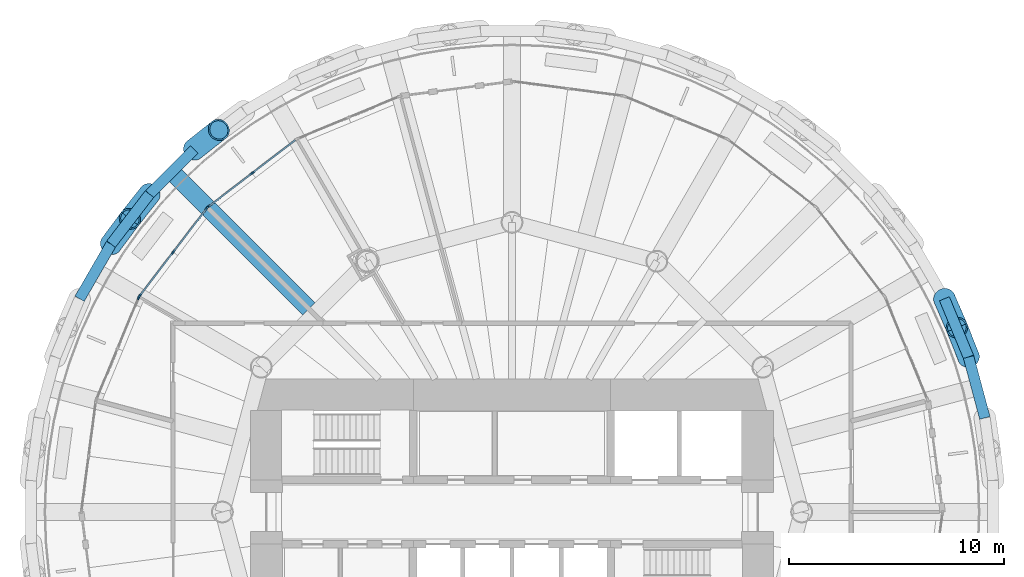
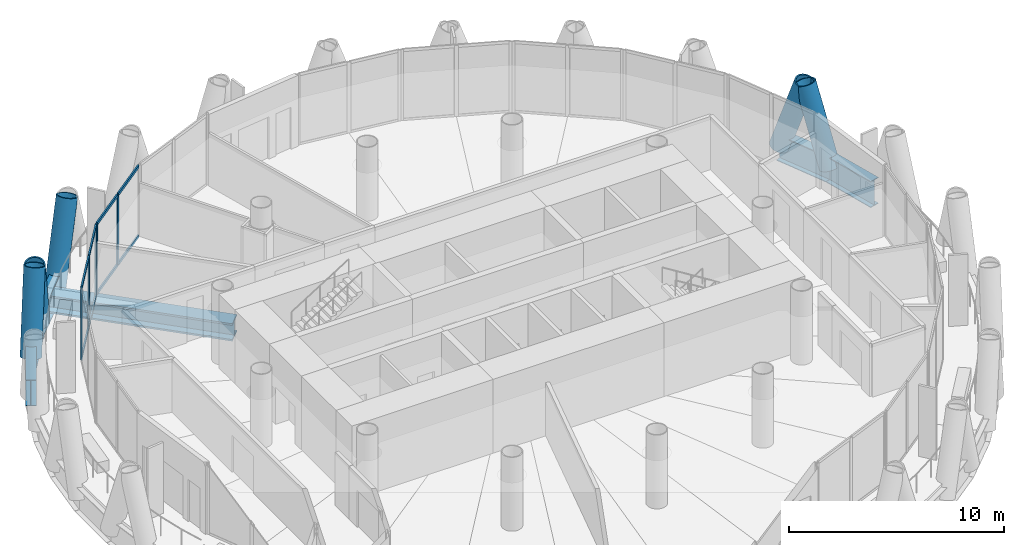
# One storey, part 5 of 15: 19 members, 6 beams, 3 elements without a shape of their own.
"""IFC4 building model written with IfcOpenShell, lengths in metres."""

from ifc_helpers import new_model, si_unit, direction, frame, origin, origin_2d, place, context, subcontext, project, spatial, rectangle, hollow_circle, i_section, extrude, material, material_profile, profile_set, type_object, element, aggregate, save


model = new_model("IFC4")

# Units and contexts
model_context = context("Model", 3, precision=1e-05, world=origin(), true_north=direction((0.0, 1.0)))
body_context = subcontext(model_context, "Body", "Model", "MODEL_VIEW")
ifc_project = project(units=[si_unit("LENGTHUNIT", "METRE"), si_unit("AREAUNIT", "SQUARE_METRE"), si_unit("VOLUMEUNIT", "CUBIC_METRE"), si_unit("PLANEANGLEUNIT", "RADIAN"), si_unit("MASSUNIT", "GRAM", prefix="KILO")], contexts=[model_context])

# Site, building, storey
site_placement = place(None, origin())
site = spatial("IfcSite", under=ifc_project, at=site_placement, CompositionType="ELEMENT")
building_placement = place(site_placement, origin())
building = spatial("IfcBuilding", under=site, at=building_placement, Name="Qaws Media Tower", CompositionType="ELEMENT")
storey_placement = place(building_placement, frame((0.0, 0.0, 231.800048828125)))
storey = spatial("IfcBuildingStorey", under=building, at=storey_placement, Name="L53", CompositionType="ELEMENT", Elevation=231.800048828125)

# Curtain wall, members
ifc_material_1 = material(Name="Aluminium and clear glass", Category="aluminium")
curtain_wall_type = type_object("IfcCurtainWallType", Name="Unitised curtain wall CW-C", PredefinedType="NOTDEFINED", material=ifc_material_1)
curtain_wall_1_placement = place(storey_placement, origin())
curtain_wall_1 = element("IfcCurtainWall", 1, at=curtain_wall_1_placement, inside=storey, type_object=curtain_wall_type, Name="CWC curtain wall L53-09", PredefinedType="NOTDEFINED")
ifc_material_2 = material(Name="Aluminium mullion", Category="aluminium")
ifc_material_profile_1 = material_profile(ifc_material_2, rectangle(XDim=0.080078125, YDim=0.199951171875, at=origin_2d()), Name="80x200")
ifc_profile_set_1 = profile_set([ifc_material_profile_1], Name="Aluminium mullion")
member_type_1 = type_object("IfcMemberType", Name="Curtain wall mullion 80x200", PredefinedType="MULLION", material=ifc_profile_set_1)
member_1_placement = place(storey_placement, frame((47.883544921875, 65.790283203125, 0.0), z_axis=(0.0, 0.0, 1.0), x_axis=(0.608761353254, -0.79335339842, 0.0)))
member_1 = element("IfcMember", 2, at=member_1_placement, type_object=member_type_1, Name="CWC mullion 2", PredefinedType="MULLION", context=body_context, shape_type="SweptSolid", body=[
    extrude(rectangle(XDim=0.080078125, YDim=0.199951171875, at=origin_2d()), origin(), (0.0, 0.0, 1.0), 4.0400390625),
])
member_2_placement = place(storey_placement, frame((45.836669921875, 64.219482421875, 0.0), z_axis=(0.0, 0.0, 1.0), x_axis=(0.608761353254, -0.79335339842, 0.0)))
member_2 = element("IfcMember", 3, at=member_2_placement, type_object=member_type_1, Name="CWC mullion 3", PredefinedType="MULLION", context=body_context, shape_type="SweptSolid", body=[
    extrude(rectangle(XDim=0.080078125, YDim=0.199951171875, at=origin_2d()), origin(), (0.0, 0.0, 1.0), 4.0400390625),
])

curtain_wall_2_placement = place(storey_placement, origin())
curtain_wall_2 = element("IfcCurtainWall", 4, at=curtain_wall_2_placement, inside=storey, type_object=curtain_wall_type, Name="CWC curtain wall L53-10", PredefinedType="NOTDEFINED")
member_3_placement = place(storey_placement, frame((45.780517578125, 64.163330078125, 0.0), z_axis=(0.0, 0.0, 1.0), x_axis=(0.79335339842, -0.608761353254, 0.0)))
member_3 = element("IfcMember", 5, at=member_3_placement, type_object=member_type_1, Name="CWC mullion 1", PredefinedType="MULLION", context=body_context, shape_type="SweptSolid", body=[
    extrude(rectangle(XDim=0.080078125, YDim=0.199951171875, at=origin_2d()), origin(), (0.0, 0.0, 1.0), 4.0400390625),
])
member_4_placement = place(storey_placement, frame((44.209716796875, 62.116455078125, 0.0), z_axis=(0.0, 0.0, 1.0), x_axis=(0.79335339842, -0.608761353254, 0.0)))
member_4 = element("IfcMember", 6, at=member_4_placement, type_object=member_type_1, Name="CWC mullion 2", PredefinedType="MULLION", context=body_context, shape_type="SweptSolid", body=[
    extrude(rectangle(XDim=0.080078125, YDim=0.199951171875, at=origin_2d()), origin(), (0.0, 0.0, 1.0), 4.0400390625),
])
member_5_placement = place(storey_placement, frame((42.638916015625, 60.0693359375, 0.0), z_axis=(0.0, 0.0, 1.0), x_axis=(0.79335339842, -0.608761353254, 0.0)))
member_5 = element("IfcMember", 7, at=member_5_placement, type_object=member_type_1, Name="CWC mullion 3", PredefinedType="MULLION", context=body_context, shape_type="SweptSolid", body=[
    extrude(rectangle(XDim=0.080078125, YDim=0.199951171875, at=origin_2d()), origin(), (0.0, 0.0, 1.0), 4.0400390625),
])

# Curtain wall, member
curtain_wall_3_placement = place(storey_placement, origin())
curtain_wall_3 = element("IfcCurtainWall", 8, at=curtain_wall_3_placement, inside=storey, type_object=curtain_wall_type, Name="CWC curtain wall L53-11", PredefinedType="NOTDEFINED")
member_6_placement = place(storey_placement, frame((42.59912109375, 60.00048828125, 0.0), z_axis=(0.0, 0.0, 1.0), x_axis=(0.923879540513, -0.382683413048, 0.0)))
member_6 = element("IfcMember", 9, at=member_6_placement, type_object=member_type_1, Name="CWC mullion 1", PredefinedType="MULLION", context=body_context, shape_type="SweptSolid", body=[
    extrude(rectangle(XDim=0.080078125, YDim=0.199951171875, at=origin_2d()), origin(), (0.0, 0.0, 1.0), 4.0400390625),
])
aggregate(curtain_wall_3, [member_6])

# Member
ifc_material_3 = material(Name="Aluminium transom", Category="aluminium")
ifc_material_profile_2 = material_profile(ifc_material_3, rectangle(XDim=0.080078125, YDim=0.159912109375, at=origin_2d()), Name="80x160")
ifc_profile_set_2 = profile_set([ifc_material_profile_2], Name="Aluminium transom")
member_type_2 = type_object("IfcMemberType", Name="Curtain wall transom 80x160", PredefinedType="USERDEFINED", material=ifc_profile_set_2)
member_7_placement = place(storey_placement, frame((49.89892578125, 67.336669921875, 0.0400390625), z_axis=(-0.793378418064, -0.608728745626, 0.0), x_axis=(0.608728745626, -0.793378418064, 0.0)))
member_7 = element("IfcMember", 10, at=member_7_placement, type_object=member_type_2, Name="CWC transom 1.1", ObjectType="TRANSOM", PredefinedType="USERDEFINED", context=body_context, shape_type="SweptSolid", body=[
    extrude(rectangle(XDim=0.080078125, YDim=0.159912109375, at=origin_2d()), origin(), (0.0, 0.0, 1.0), 2.500244140625),
])

member_8_placement = place(storey_placement, frame((49.89892578125, 67.336669921875, 4.0), z_axis=(-0.793378418064, -0.608728745626, 0.0), x_axis=(0.608728745626, -0.793378418064, 0.0)))
member_8 = element("IfcMember", 11, at=member_8_placement, type_object=member_type_2, Name="CWC transom 1.2", ObjectType="TRANSOM", PredefinedType="USERDEFINED", context=body_context, shape_type="SweptSolid", body=[
    extrude(rectangle(XDim=0.080078125, YDim=0.159912109375, at=origin_2d()), origin(), (0.0, 0.0, 1.0), 2.500244140625),
])

member_9_placement = place(storey_placement, frame((47.85205078125, 65.765869140625, 0.0400390625), z_axis=(-0.793378418064, -0.608728745626, 0.0), x_axis=(0.608728745626, -0.793378418064, 0.0)))
member_9 = element("IfcMember", 12, at=member_9_placement, type_object=member_type_2, Name="CWC transom 2.1", ObjectType="TRANSOM", PredefinedType="USERDEFINED", context=body_context, shape_type="SweptSolid", body=[
    extrude(rectangle(XDim=0.080078125, YDim=0.159912109375, at=origin_2d()), origin(), (0.0, 0.0, 1.0), 2.500244140625),
])

member_10_placement = place(storey_placement, frame((47.85205078125, 65.765869140625, 4.0), z_axis=(-0.793378418064, -0.608728745626, 0.0), x_axis=(0.608728745626, -0.793378418064, 0.0)))
member_10 = element("IfcMember", 13, at=member_10_placement, type_object=member_type_2, Name="CWC transom 2.2", ObjectType="TRANSOM", PredefinedType="USERDEFINED", context=body_context, shape_type="SweptSolid", body=[
    extrude(rectangle(XDim=0.080078125, YDim=0.159912109375, at=origin_2d()), origin(), (0.0, 0.0, 1.0), 2.500244140625),
])

aggregate(curtain_wall_1, [member_1, member_2, member_7, member_8, member_9, member_10])

member_11_placement = place(storey_placement, frame((45.756103515625, 64.131591796875, 0.0400390625), z_axis=(-0.608728745626, -0.793378418064, 0.0), x_axis=(0.793378418064, -0.608728745626, 0.0)))
member_11 = element("IfcMember", 14, at=member_11_placement, type_object=member_type_2, Name="CWC transom 1.1", ObjectType="TRANSOM", PredefinedType="USERDEFINED", context=body_context, shape_type="SweptSolid", body=[
    extrude(rectangle(XDim=0.080078125, YDim=0.159912109375, at=origin_2d()), origin(), (0.0, 0.0, 1.0), 2.500244140625),
])

member_12_placement = place(storey_placement, frame((45.756103515625, 64.131591796875, 4.0), z_axis=(-0.608728745626, -0.793378418064, 0.0), x_axis=(0.793378418064, -0.608728745626, 0.0)))
member_12 = element("IfcMember", 15, at=member_12_placement, type_object=member_type_2, Name="CWC transom 1.2", ObjectType="TRANSOM", PredefinedType="USERDEFINED", context=body_context, shape_type="SweptSolid", body=[
    extrude(rectangle(XDim=0.080078125, YDim=0.159912109375, at=origin_2d()), origin(), (0.0, 0.0, 1.0), 2.500244140625),
])

member_13_placement = place(storey_placement, frame((44.185302734375, 62.084716796875, 0.0400390625), z_axis=(-0.608728745626, -0.793378418064, 0.0), x_axis=(0.793378418064, -0.608728745626, 0.0)))
member_13 = element("IfcMember", 16, at=member_13_placement, type_object=member_type_2, Name="CWC transom 2.1", ObjectType="TRANSOM", PredefinedType="USERDEFINED", context=body_context, shape_type="SweptSolid", body=[
    extrude(rectangle(XDim=0.080078125, YDim=0.159912109375, at=origin_2d()), origin(), (0.0, 0.0, 1.0), 2.500244140625),
])

member_14_placement = place(storey_placement, frame((44.185302734375, 62.084716796875, 4.0), z_axis=(-0.608728745626, -0.793378418064, 0.0), x_axis=(0.793378418064, -0.608728745626, 0.0)))
member_14 = element("IfcMember", 17, at=member_14_placement, type_object=member_type_2, Name="CWC transom 2.2", ObjectType="TRANSOM", PredefinedType="USERDEFINED", context=body_context, shape_type="SweptSolid", body=[
    extrude(rectangle(XDim=0.080078125, YDim=0.159912109375, at=origin_2d()), origin(), (0.0, 0.0, 1.0), 2.500244140625),
])

aggregate(curtain_wall_2, [member_3, member_4, member_5, member_11, member_12, member_13, member_14])

# Members
ifc_material_4 = material(Name="Steel S460", Category="steel")
ifc_material_profile_3 = material_profile(ifc_material_4, hollow_circle(Radius=0.508056640625, WallThickness=0.070068359375, at=origin_2d()), Name="CHS 1016x70")
ifc_profile_set_3 = profile_set([ifc_material_profile_3], Name="Steel S460")
member_type_3 = type_object("IfcMemberType", Name="Diagrid member CHS 1016x70", PredefinedType="USERDEFINED", material=ifc_profile_set_3)
for number, where, z_axis, x_axis, name in (
    (18, (81.2822265625, 57.224365234375, -0.91015625), (-0.121575400819, 0.307175392233, 0.943855232714), (-0.929822004047, -0.368009566167, 0.0), "DG3 diagrid L53 A02"),
    (19, (80.1572265625, 59.9404296875, -0.91015625), (0.131231429431, -0.303170936051, 0.943856819366), (0.917713080765, 0.397243881504, 0.0), "DG3 diagrid L53 B03"),
    (20, (43.102294921875, 64.81884765625, -0.91015625), (-0.20518681443, -0.25889748056, 0.943859346377), (0.783712318806, -0.621123982271, 0.0), "DG3 diagrid L53 A10"),
    (21, (45.18115234375, 66.897705078125, -0.91015625), (0.25889748056, 0.20518681443, 0.943859346377), (-0.621123982271, 0.783712318806, 0.0), "DG3 diagrid L53 B10"),
):
    element("IfcMember", number, at=place(storey_placement, frame(where, z_axis=z_axis, x_axis=x_axis)), inside=storey, type_object=member_type_3, Name=name, ObjectType="DIAGRID", PredefinedType="USERDEFINED", context=body_context, shape_type="SweptSolid", body=[
        extrude(hollow_circle(Radius=0.508056640625, WallThickness=0.070068359375, at=origin_2d()), origin(), (0.0, 0.0, 1.0), 4.449951171875),
    ])
member_15_placement = place(storey_placement, frame((41.312744140625, 62.486328125, -0.91015625), z_axis=(0.196954799022, 0.265258064978, 0.943846897598), x_axis=(-0.802880095878, 0.596140546888, 0.0)))
element("IfcMember", 22, at=member_15_placement, inside=storey, type_object=member_type_3, Name="DG3 diagrid L53 B11", ObjectType="DIAGRID", PredefinedType="USERDEFINED", context=body_context, shape_type="SweptSolid", body=[
    extrude(hollow_circle(Radius=0.508056640625, WallThickness=0.070068359375, at=origin_2d()), origin(), (0.0, 0.0, 1.0), 4.4501953125),
])

# Beams
ifc_material_5 = material(Name="Steel S460", Category="steel")
ifc_material_profile_4 = material_profile(ifc_material_5, i_section(OverallWidth=0.5, OverallDepth=1.5, WebThickness=0.02001953125, FlangeThickness=0.0400390625, at=origin_2d()), Name="PG 1500x500")
ifc_profile_set_4 = profile_set([ifc_material_profile_4], Name="Steel S460")
beam_type_1 = type_object("IfcBeamType", Name="Edge ring beam PG 1500x500", PredefinedType="BEAM", material=ifc_profile_set_4)
beam_1_placement = place(storey_placement, frame((82.043212890625, 54.384765625, -0.91015625), z_axis=(-0.258856465056, 0.965915798866, 0.0), x_axis=(-0.965915798866, -0.258856465056, 0.0)))
element("IfcBeam", 23, at=beam_1_placement, inside=storey, type_object=beam_type_1, Name="RB4 edge ring beam L53-02", PredefinedType="BEAM", context=body_context, shape_type="SweptSolid", body=[
    extrude(i_section(OverallWidth=0.5, OverallDepth=1.5, WebThickness=0.02001953125, FlangeThickness=0.0400390625, at=origin_2d()), origin(), (0.0, 0.0, 1.0), 2.939697265625),
])
for number, where, z_axis, x_axis, name in (
    (24, (81.2822265625, 57.224365234375, -0.91015625), (-0.38267450938, 0.923883228482, 0.0), (-0.923883228482, -0.38267450938, 0.0), "RB4 edge ring beam L53-03"),
    (25, (45.18115234375, 66.897705078125, -0.91015625), (-0.707106781187, -0.707106781187, 0.0), (0.707106781187, -0.707106781187, 0.0), "RB4 edge ring beam L53-18"),
    (26, (43.102294921875, 64.81884765625, -0.91015625), (-0.608706961847, -0.793395131444, 0.0), (0.793395131444, -0.608706961847, 0.0), "RB4 edge ring beam L53-19"),
):
    element("IfcBeam", number, at=place(storey_placement, frame(where, z_axis=z_axis, x_axis=x_axis)), inside=storey, type_object=beam_type_1, Name=name, PredefinedType="BEAM", context=body_context, shape_type="SweptSolid", body=[
        extrude(i_section(OverallWidth=0.5, OverallDepth=1.5, WebThickness=0.02001953125, FlangeThickness=0.0400390625, at=origin_2d()), origin(), (0.0, 0.0, 1.0), 2.93994140625),
    ])
beam_2_placement = place(storey_placement, frame((41.312744140625, 62.486328125, -0.91015625), z_axis=(-0.500024377727, -0.866011328839, 0.0), x_axis=(0.866011328839, -0.500024377727, 0.0)))
element("IfcBeam", 27, at=beam_2_placement, inside=storey, type_object=beam_type_1, Name="RB4 edge ring beam L53-20", PredefinedType="BEAM", context=body_context, shape_type="SweptSolid", body=[
    extrude(i_section(OverallWidth=0.5, OverallDepth=1.5, WebThickness=0.02001953125, FlangeThickness=0.0400390625, at=origin_2d()), origin(), (0.0, 0.0, 1.0), 2.939697265625),
])
ifc_material_6 = material(Name="Steel S460", Category="steel")
ifc_material_profile_5 = material_profile(ifc_material_6, i_section(OverallWidth=0.800048828125, OverallDepth=1.0, WebThickness=0.0400390625, FlangeThickness=0.10009765625, at=origin_2d()), Name="PG 1000x800")
ifc_profile_set_5 = profile_set([ifc_material_profile_5], Name="Steel S460")
beam_type_2 = type_object("IfcBeamType", Name="Radial girder PG 1000x800", PredefinedType="BEAM", material=ifc_profile_set_5)
beam_3_placement = place(storey_placement, frame((50.53173828125, 59.46826171875, -0.66015625), z_axis=(-0.707106781187, 0.707106781187, 0.0), x_axis=(-0.707106781187, -0.707106781187, 0.0)))
element("IfcBeam", 28, at=beam_3_placement, inside=storey, type_object=beam_type_2, Name="B1 radial beam L53 10", PredefinedType="BEAM", context=body_context, shape_type="SweptSolid", body=[
    extrude(i_section(OverallWidth=0.800048828125, OverallDepth=1.0, WebThickness=0.0400390625, FlangeThickness=0.10009765625, at=origin_2d()), origin(), (0.0, 0.0, 1.0), 9.03662109375),
])

save(model, "model.ifc")
